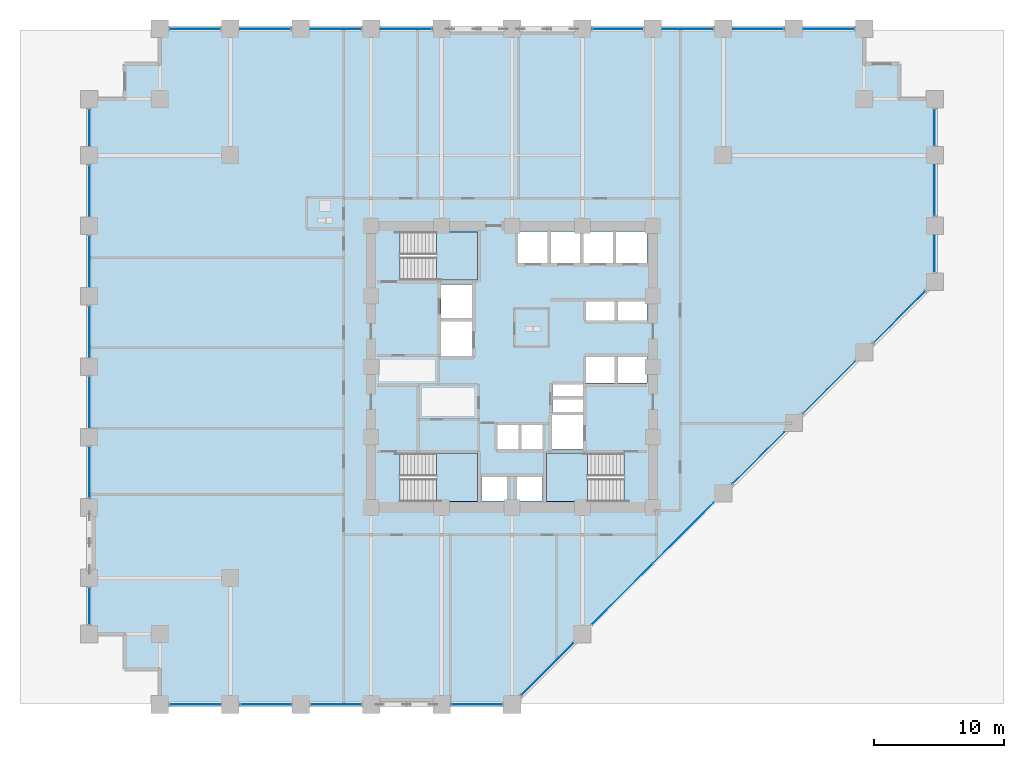
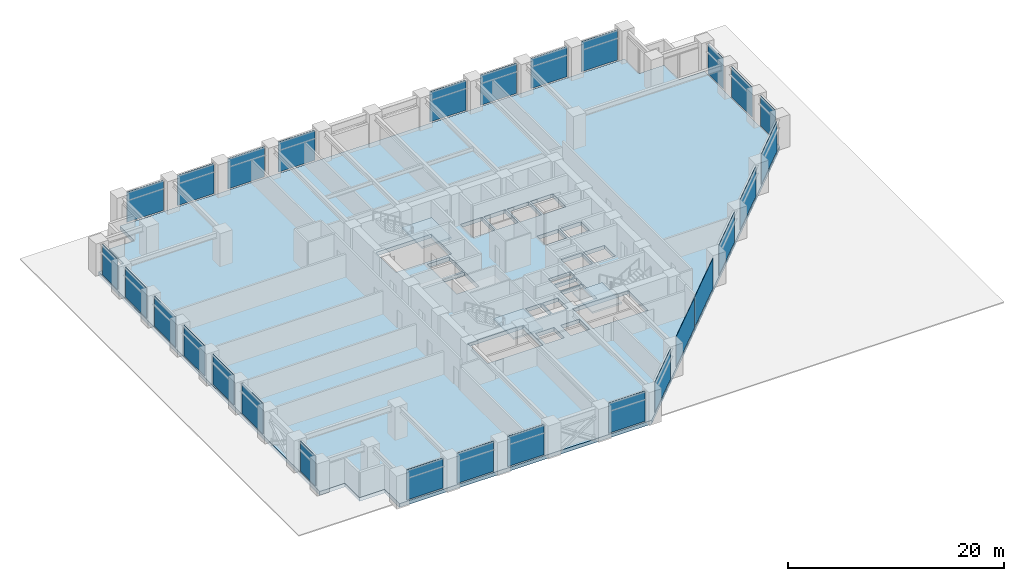
# One storey, part 18 of 27: 28 plates, 4 slabs, 11 elements without a shape of their own.
"""IFC4 building model written with IfcOpenShell, lengths in metres."""

from ifc_helpers import new_model, si_unit, direction, frame, frame_2d, origin, place, context, subcontext, project, spatial, polyline, rectangle, outline, extrude, material, layer, layer_set, type_object, element, aggregate, save


model = new_model("IFC4")

# Units and contexts
model_context = context("Model", 3, precision=1e-05, world=origin(), true_north=direction((0.0, 1.0)))
body_context = subcontext(model_context, "Body", "Model", "MODEL_VIEW")
ifc_project = project(units=[si_unit("LENGTHUNIT", "METRE"), si_unit("AREAUNIT", "SQUARE_METRE"), si_unit("VOLUMEUNIT", "CUBIC_METRE"), si_unit("PLANEANGLEUNIT", "RADIAN"), si_unit("MASSUNIT", "GRAM", prefix="KILO")], contexts=[model_context])

# Site, building, storey
site_placement = place(None, origin())
site = spatial("IfcSite", under=ifc_project, at=site_placement, CompositionType="ELEMENT")
building_placement = place(site_placement, origin())
building = spatial("IfcBuilding", under=site, at=building_placement, Name="Surkhivell Harbour Commons", CompositionType="ELEMENT")
storey_placement = place(building_placement, frame((0.0, 0.0, 22.5)))
storey = spatial("IfcBuildingStorey", under=building, at=storey_placement, Name="L05", CompositionType="ELEMENT", Elevation=22.5)

# Curtain wall, plates
ifc_material_1 = material(Name="Anodised pale-metal aluminium and insulated glazing", Category="aluminium")
ifc_layer_1 = layer(ifc_material_1, 0.219970703125)
ifc_layer_set_1 = layer_set([ifc_layer_1], Name="Anodised pale-metal aluminium and insulated glazing")
curtain_wall_type = type_object("IfcCurtainWallType", Name="CW-SYS-Z1", PredefinedType="NOTDEFINED", material=ifc_layer_set_1)
curtain_wall_1_placement = place(storey_placement, origin())
curtain_wall_1 = element("IfcCurtainWall", 1, at=curtain_wall_1_placement, inside=storey, type_object=curtain_wall_type, Name="L05 Curtain Wall CW-L05-E00S1", PredefinedType="NOTDEFINED")
ifc_material_2 = material(Name="Double-silver low-E laminated vision glass", Category="glass")
ifc_layer_2 = layer(ifc_material_2, 0.031982421875)
ifc_layer_set_2 = layer_set([ifc_layer_2], Name="Double-silver low-E laminated vision glass")
plate_type = type_object("IfcPlateType", Name="CWP-GLZ-32", PredefinedType="CURTAIN_PANEL", material=ifc_layer_set_2)
plate_1_placement = place(storey_placement, frame((-26.248046875, -25.89990234375, 0.14990234375), z_axis=(0.0, 0.0, 1.0), x_axis=(1.0, 0.0, 0.0)))
plate_1 = element("IfcPlate", 2, at=plate_1_placement, type_object=plate_type, Name="CW-Z1 panel 1.1", PredefinedType="CURTAIN_PANEL", context=body_context, shape_type="SweptSolid", body=[
    extrude(rectangle(XDim=3.89599609375, YDim=0.031982421875, at=frame_2d((1.947998046875, 0.0))), origin(), (0.0, 0.0, 1.0), 3.420166015625),
])
plate_2_placement = place(storey_placement, frame((-20.847900390625, -25.89990234375, 0.14990234375), z_axis=(0.0, 0.0, 1.0), x_axis=(1.0, 0.0, 0.0)))
plate_2 = element("IfcPlate", 3, at=plate_2_placement, type_object=plate_type, Name="CW-Z1 panel 2.1", PredefinedType="CURTAIN_PANEL", context=body_context, shape_type="SweptSolid", body=[
    extrude(rectangle(XDim=3.89599609375, YDim=0.031982421875, at=frame_2d((1.947998046875, 0.0))), origin(), (0.0, 0.0, 1.0), 3.420166015625),
])
plate_3_placement = place(storey_placement, frame((-15.447998046875, -25.89990234375, 0.14990234375), z_axis=(0.0, 0.0, 1.0), x_axis=(1.0, 0.0, 0.0)))
plate_3 = element("IfcPlate", 4, at=plate_3_placement, type_object=plate_type, Name="CW-Z1 panel 3.1", PredefinedType="CURTAIN_PANEL", context=body_context, shape_type="SweptSolid", body=[
    extrude(rectangle(XDim=3.89599609375, YDim=0.031982421875, at=frame_2d((1.947998046875, 0.0))), origin(), (0.0, 0.0, 1.0), 3.420166015625),
])
aggregate(curtain_wall_1, [plate_1, plate_2, plate_3])

# Curtain wall, plate
curtain_wall_2_placement = place(storey_placement, origin())
curtain_wall_2 = element("IfcCurtainWall", 5, at=curtain_wall_2_placement, inside=storey, type_object=curtain_wall_type, Name="L05 Curtain Wall CW-L05-E00S2", PredefinedType="NOTDEFINED")
plate_4_placement = place(storey_placement, frame((-4.64794921875, -25.89990234375, 0.14990234375), z_axis=(0.0, 0.0, 1.0), x_axis=(1.0, 0.0, 0.0)))
plate_4 = element("IfcPlate", 6, at=plate_4_placement, type_object=plate_type, Name="CW-Z1 panel 1.1", PredefinedType="CURTAIN_PANEL", context=body_context, shape_type="SweptSolid", body=[
    extrude(rectangle(XDim=3.89599609375, YDim=0.031982421875, at=frame_2d((1.947998046875, 0.0))), origin(), (0.0, 0.0, 1.0), 3.420166015625),
])
aggregate(curtain_wall_2, [plate_4])

# Curtain wall, plates
curtain_wall_3_placement = place(storey_placement, origin())
curtain_wall_3 = element("IfcCurtainWall", 7, at=curtain_wall_3_placement, inside=storey, type_object=curtain_wall_type, Name="L05 Curtain Wall CW-L05-E01", PredefinedType="NOTDEFINED")
plate_5_placement = place(storey_placement, frame((0.729736328125, -25.170166015625, 0.14990234375), z_axis=(0.0, 0.0, 1.0), x_axis=(0.707106781187, 0.707106781187, 0.0)))
plate_5 = element("IfcPlate", 8, at=plate_5_placement, type_object=plate_type, Name="CW-Z1 panel 1.1", PredefinedType="CURTAIN_PANEL", context=body_context, shape_type="SweptSolid", body=[
    extrude(rectangle(XDim=5.572509765625, YDim=0.031982421875, at=frame_2d((2.7861328125, 0.0))), origin(), (0.0, 0.0, 1.0), 3.420166015625),
])
plate_6_placement = place(storey_placement, frame((6.1298828125, -19.770263671875, 0.14990234375), z_axis=(0.0, 0.0, 1.0), x_axis=(0.707088192925, 0.70712536896, 0.0)))
plate_6 = element("IfcPlate", 9, at=plate_6_placement, type_object=plate_type, Name="CW-Z1 panel 2.1", PredefinedType="CURTAIN_PANEL", context=body_context, shape_type="SweptSolid", body=[
    extrude(rectangle(XDim=6.567138671875, YDim=0.031982421875, at=frame_2d((3.28369140625, 0.0))), origin(), (0.0, 0.0, 1.0), 3.420166015625),
])
plate_7_placement = place(storey_placement, frame((10.826416015625, -15.073486328125, 0.14990234375), z_axis=(0.0, 0.0, 1.0), x_axis=(0.70712536896, 0.707088192925, 0.0)))
plate_7 = element("IfcPlate", 10, at=plate_7_placement, type_object=plate_type, Name="CW-Z1 panel 3.1", PredefinedType="CURTAIN_PANEL", context=body_context, shape_type="SweptSolid", body=[
    extrude(rectangle(XDim=6.567138671875, YDim=0.031982421875, at=frame_2d((3.28369140625, 0.0))), origin(), (0.0, 0.0, 1.0), 3.420166015625),
])
plate_8_placement = place(storey_placement, frame((16.929931640625, -8.97021484375, 0.14990234375), z_axis=(0.0, 0.0, 1.0), x_axis=(0.707084874754, 0.70712868694, 0.0)))
plate_8 = element("IfcPlate", 11, at=plate_8_placement, type_object=plate_type, Name="CW-Z1 panel 4.1", PredefinedType="CURTAIN_PANEL", context=body_context, shape_type="SweptSolid", body=[
    extrude(rectangle(XDim=5.572509765625, YDim=0.031982421875, at=frame_2d((2.7861328125, 0.0))), origin(), (0.0, 0.0, 1.0), 3.420166015625),
])
plate_9_placement = place(storey_placement, frame((22.329833984375, -3.570068359375, 0.14990234375), z_axis=(0.0, 0.0, 1.0), x_axis=(0.70712868694, 0.707084874754, 0.0)))
plate_9 = element("IfcPlate", 12, at=plate_9_placement, type_object=plate_type, Name="CW-Z1 panel 5.1", PredefinedType="CURTAIN_PANEL", context=body_context, shape_type="SweptSolid", body=[
    extrude(rectangle(XDim=5.572509765625, YDim=0.031982421875, at=frame_2d((2.7861328125, 0.0))), origin(), (0.0, 0.0, 1.0), 3.420166015625),
])
plate_10_placement = place(storey_placement, frame((27.729736328125, 1.829833984375, 0.14990234375), z_axis=(0.0, 0.0, 1.0), x_axis=(0.707106781187, 0.707106781187, 0.0)))
plate_10 = element("IfcPlate", 13, at=plate_10_placement, type_object=plate_type, Name="CW-Z1 panel 6.1", PredefinedType="CURTAIN_PANEL", context=body_context, shape_type="SweptSolid", body=[
    extrude(rectangle(XDim=5.572509765625, YDim=0.031982421875, at=frame_2d((2.7861328125, 0.0))), origin(), (0.0, 0.0, 1.0), 3.420166015625),
])
aggregate(curtain_wall_3, [plate_5, plate_6, plate_7, plate_8, plate_9, plate_10])

curtain_wall_4_placement = place(storey_placement, origin())
curtain_wall_4 = element("IfcCurtainWall", 14, at=curtain_wall_4_placement, inside=storey, type_object=curtain_wall_type, Name="L05 Curtain Wall CW-L05-E02", PredefinedType="NOTDEFINED")
plate_11_placement = place(storey_placement, frame((32.39990234375, 7.251953125, 0.14990234375), z_axis=(0.0, 0.0, 1.0), x_axis=(0.0, 1.0, 0.0)))
plate_11 = element("IfcPlate", 15, at=plate_11_placement, type_object=plate_type, Name="CW-Z1 panel 1.1", PredefinedType="CURTAIN_PANEL", context=body_context, shape_type="SweptSolid", body=[
    extrude(rectangle(XDim=2.796142578125, YDim=0.031982421875, at=frame_2d((1.39794921875, 0.0))), origin(), (0.0, 0.0, 1.0), 3.420166015625),
])
plate_12_placement = place(storey_placement, frame((32.39990234375, 11.552001953125, 0.14990234375), z_axis=(0.0, 0.0, 1.0), x_axis=(0.0, 1.0, 0.0)))
plate_12 = element("IfcPlate", 16, at=plate_12_placement, type_object=plate_type, Name="CW-Z1 panel 2.1", PredefinedType="CURTAIN_PANEL", context=body_context, shape_type="SweptSolid", body=[
    extrude(rectangle(XDim=3.89599609375, YDim=0.031982421875, at=frame_2d((1.947998046875, 0.0))), origin(), (0.0, 0.0, 1.0), 3.420166015625),
])
plate_13_placement = place(storey_placement, frame((32.39990234375, 16.951904296875, 0.14990234375), z_axis=(0.0, 0.0, 1.0), x_axis=(0.0, 1.0, 0.0)))
plate_13 = element("IfcPlate", 17, at=plate_13_placement, type_object=plate_type, Name="CW-Z1 panel 3.1", PredefinedType="CURTAIN_PANEL", context=body_context, shape_type="SweptSolid", body=[
    extrude(rectangle(XDim=2.796142578125, YDim=0.031982421875, at=frame_2d((1.39794921875, 0.0))), origin(), (0.0, 0.0, 1.0), 3.420166015625),
])
aggregate(curtain_wall_4, [plate_11, plate_12, plate_13])

curtain_wall_5_placement = place(storey_placement, origin())
curtain_wall_5 = element("IfcCurtainWall", 18, at=curtain_wall_5_placement, inside=storey, type_object=curtain_wall_type, Name="L05 Curtain Wall CW-L05-E07S1", PredefinedType="NOTDEFINED")
plate_14_placement = place(storey_placement, frame((26.248046875, 25.89990234375, 0.14990234375), z_axis=(0.0, 0.0, 1.0), x_axis=(-1.0, 0.0, 0.0)))
plate_14 = element("IfcPlate", 19, at=plate_14_placement, type_object=plate_type, Name="CW-Z1 panel 1.1", PredefinedType="CURTAIN_PANEL", context=body_context, shape_type="SweptSolid", body=[
    extrude(rectangle(XDim=3.89599609375, YDim=0.031982421875, at=frame_2d((1.947998046875, 0.0))), origin(), (0.0, 0.0, 1.0), 3.420166015625),
])
plate_15_placement = place(storey_placement, frame((20.847900390625, 25.89990234375, 0.14990234375), z_axis=(0.0, 0.0, 1.0), x_axis=(-1.0, 0.0, 0.0)))
plate_15 = element("IfcPlate", 20, at=plate_15_placement, type_object=plate_type, Name="CW-Z1 panel 2.1", PredefinedType="CURTAIN_PANEL", context=body_context, shape_type="SweptSolid", body=[
    extrude(rectangle(XDim=3.89599609375, YDim=0.031982421875, at=frame_2d((1.947998046875, 0.0))), origin(), (0.0, 0.0, 1.0), 3.420166015625),
])
plate_16_placement = place(storey_placement, frame((15.447998046875, 25.89990234375, 0.14990234375), z_axis=(0.0, 0.0, 1.0), x_axis=(-1.0, 0.0, 0.0)))
plate_16 = element("IfcPlate", 21, at=plate_16_placement, type_object=plate_type, Name="CW-Z1 panel 3.1", PredefinedType="CURTAIN_PANEL", context=body_context, shape_type="SweptSolid", body=[
    extrude(rectangle(XDim=3.89599609375, YDim=0.031982421875, at=frame_2d((1.947998046875, 0.0))), origin(), (0.0, 0.0, 1.0), 3.420166015625),
])
plate_17_placement = place(storey_placement, frame((10.048095703125, 25.89990234375, 0.14990234375), z_axis=(0.0, 0.0, 1.0), x_axis=(-1.0, 0.0, 0.0)))
plate_17 = element("IfcPlate", 22, at=plate_17_placement, type_object=plate_type, Name="CW-Z1 panel 4.1", PredefinedType="CURTAIN_PANEL", context=body_context, shape_type="SweptSolid", body=[
    extrude(rectangle(XDim=3.89599609375, YDim=0.031982421875, at=frame_2d((1.947998046875, 0.0))), origin(), (0.0, 0.0, 1.0), 3.420166015625),
])
aggregate(curtain_wall_5, [plate_14, plate_15, plate_16, plate_17])

curtain_wall_6_placement = place(storey_placement, origin())
curtain_wall_6 = element("IfcCurtainWall", 23, at=curtain_wall_6_placement, inside=storey, type_object=curtain_wall_type, Name="L05 Curtain Wall CW-L05-E07S2", PredefinedType="NOTDEFINED")
plate_18_placement = place(storey_placement, frame((-6.152099609375, 25.89990234375, 0.14990234375), z_axis=(0.0, 0.0, 1.0), x_axis=(-1.0, 0.0, 0.0)))
plate_18 = element("IfcPlate", 24, at=plate_18_placement, type_object=plate_type, Name="CW-Z1 panel 1.1", PredefinedType="CURTAIN_PANEL", context=body_context, shape_type="SweptSolid", body=[
    extrude(rectangle(XDim=3.89599609375, YDim=0.031982421875, at=frame_2d((1.947998046875, 0.0))), origin(), (0.0, 0.0, 1.0), 3.420166015625),
])
plate_19_placement = place(storey_placement, frame((-11.552001953125, 25.89990234375, 0.14990234375), z_axis=(0.0, 0.0, 1.0), x_axis=(-1.0, 0.0, 0.0)))
plate_19 = element("IfcPlate", 25, at=plate_19_placement, type_object=plate_type, Name="CW-Z1 panel 2.1", PredefinedType="CURTAIN_PANEL", context=body_context, shape_type="SweptSolid", body=[
    extrude(rectangle(XDim=3.89599609375, YDim=0.031982421875, at=frame_2d((1.947998046875, 0.0))), origin(), (0.0, 0.0, 1.0), 3.420166015625),
])
plate_20_placement = place(storey_placement, frame((-16.951904296875, 25.89990234375, 0.14990234375), z_axis=(0.0, 0.0, 1.0), x_axis=(-1.0, 0.0, 0.0)))
plate_20 = element("IfcPlate", 26, at=plate_20_placement, type_object=plate_type, Name="CW-Z1 panel 3.1", PredefinedType="CURTAIN_PANEL", context=body_context, shape_type="SweptSolid", body=[
    extrude(rectangle(XDim=3.89599609375, YDim=0.031982421875, at=frame_2d((1.947998046875, 0.0))), origin(), (0.0, 0.0, 1.0), 3.420166015625),
])
plate_21_placement = place(storey_placement, frame((-22.35205078125, 25.89990234375, 0.14990234375), z_axis=(0.0, 0.0, 1.0), x_axis=(-1.0, 0.0, 0.0)))
plate_21 = element("IfcPlate", 27, at=plate_21_placement, type_object=plate_type, Name="CW-Z1 panel 4.1", PredefinedType="CURTAIN_PANEL", context=body_context, shape_type="SweptSolid", body=[
    extrude(rectangle(XDim=3.89599609375, YDim=0.031982421875, at=frame_2d((1.947998046875, 0.0))), origin(), (0.0, 0.0, 1.0), 3.420166015625),
])
aggregate(curtain_wall_6, [plate_18, plate_19, plate_20, plate_21])

curtain_wall_7_placement = place(storey_placement, origin())
curtain_wall_7 = element("IfcCurtainWall", 28, at=curtain_wall_7_placement, inside=storey, type_object=curtain_wall_type, Name="L05 Curtain Wall CW-L05-E12S1", PredefinedType="NOTDEFINED")
plate_22_placement = place(storey_placement, frame((-32.39990234375, 19.748046875, 0.14990234375), z_axis=(0.0, 0.0, 1.0), x_axis=(0.0, -1.0, 0.0)))
plate_22 = element("IfcPlate", 29, at=plate_22_placement, type_object=plate_type, Name="CW-Z1 panel 1.1", PredefinedType="CURTAIN_PANEL", context=body_context, shape_type="SweptSolid", body=[
    extrude(rectangle(XDim=2.796142578125, YDim=0.031982421875, at=frame_2d((1.39794921875, 0.0))), origin(), (0.0, 0.0, 1.0), 3.420166015625),
])
plate_23_placement = place(storey_placement, frame((-32.39990234375, 15.447998046875, 0.14990234375), z_axis=(0.0, 0.0, 1.0), x_axis=(0.0, -1.0, 0.0)))
plate_23 = element("IfcPlate", 30, at=plate_23_placement, type_object=plate_type, Name="CW-Z1 panel 2.1", PredefinedType="CURTAIN_PANEL", context=body_context, shape_type="SweptSolid", body=[
    extrude(rectangle(XDim=3.89599609375, YDim=0.031982421875, at=frame_2d((1.947998046875, 0.0))), origin(), (0.0, 0.0, 1.0), 3.420166015625),
])
plate_24_placement = place(storey_placement, frame((-32.39990234375, 10.048095703125, 0.14990234375), z_axis=(0.0, 0.0, 1.0), x_axis=(0.0, -1.0, 0.0)))
plate_24 = element("IfcPlate", 31, at=plate_24_placement, type_object=plate_type, Name="CW-Z1 panel 3.1", PredefinedType="CURTAIN_PANEL", context=body_context, shape_type="SweptSolid", body=[
    extrude(rectangle(XDim=3.89599609375, YDim=0.031982421875, at=frame_2d((1.947998046875, 0.0))), origin(), (0.0, 0.0, 1.0), 3.420166015625),
])
plate_25_placement = place(storey_placement, frame((-32.39990234375, 4.64794921875, 0.14990234375), z_axis=(0.0, 0.0, 1.0), x_axis=(0.0, -1.0, 0.0)))
plate_25 = element("IfcPlate", 32, at=plate_25_placement, type_object=plate_type, Name="CW-Z1 panel 4.1", PredefinedType="CURTAIN_PANEL", context=body_context, shape_type="SweptSolid", body=[
    extrude(rectangle(XDim=3.89599609375, YDim=0.031982421875, at=frame_2d((1.947998046875, 0.0))), origin(), (0.0, 0.0, 1.0), 3.420166015625),
])
plate_26_placement = place(storey_placement, frame((-32.39990234375, -0.751953125, 0.14990234375), z_axis=(0.0, 0.0, 1.0), x_axis=(0.0, -1.0, 0.0)))
plate_26 = element("IfcPlate", 33, at=plate_26_placement, type_object=plate_type, Name="CW-Z1 panel 5.1", PredefinedType="CURTAIN_PANEL", context=body_context, shape_type="SweptSolid", body=[
    extrude(rectangle(XDim=3.89599609375, YDim=0.031982421875, at=frame_2d((1.947998046875, 0.0))), origin(), (0.0, 0.0, 1.0), 3.420166015625),
])
plate_27_placement = place(storey_placement, frame((-32.39990234375, -6.152099609375, 0.14990234375), z_axis=(0.0, 0.0, 1.0), x_axis=(0.0, -1.0, 0.0)))
plate_27 = element("IfcPlate", 34, at=plate_27_placement, type_object=plate_type, Name="CW-Z1 panel 6.1", PredefinedType="CURTAIN_PANEL", context=body_context, shape_type="SweptSolid", body=[
    extrude(rectangle(XDim=3.89599609375, YDim=0.031982421875, at=frame_2d((1.947998046875, 0.0))), origin(), (0.0, 0.0, 1.0), 3.420166015625),
])
aggregate(curtain_wall_7, [plate_22, plate_23, plate_24, plate_25, plate_26, plate_27])

# Curtain wall, plate
curtain_wall_8_placement = place(storey_placement, origin())
curtain_wall_8 = element("IfcCurtainWall", 35, at=curtain_wall_8_placement, inside=storey, type_object=curtain_wall_type, Name="L05 Curtain Wall CW-L05-E12S2", PredefinedType="NOTDEFINED")
plate_28_placement = place(storey_placement, frame((-32.39990234375, -16.951904296875, 0.14990234375), z_axis=(0.0, 0.0, 1.0), x_axis=(0.0, -1.0, 0.0)))
plate_28 = element("IfcPlate", 36, at=plate_28_placement, type_object=plate_type, Name="CW-Z1 panel 1.1", PredefinedType="CURTAIN_PANEL", context=body_context, shape_type="SweptSolid", body=[
    extrude(rectangle(XDim=2.796142578125, YDim=0.031982421875, at=frame_2d((1.39794921875, 0.0))), origin(), (0.0, 0.0, 1.0), 3.420166015625),
])
aggregate(curtain_wall_8, [plate_28])

# Stair, slab
ifc_material_3 = material(Name="Precast concrete C45/55", Category="concrete")
stair_type = type_object("IfcStairType", Name="STR-DL-375", PredefinedType="HALF_TURN_STAIR", material=ifc_material_3)
stair_1_placement = place(storey_placement, origin())
stair_1 = element("IfcStair", 37, at=stair_1_placement, inside=storey, type_object=stair_type, Name="L05 Core Exit Stair ST1", PredefinedType="HALF_TURN_STAIR")
ifc_material_4 = material(Name="Reinforced concrete C45/55", Category="concrete")
ifc_layer_3 = layer(ifc_material_4, 0.199951171875)
ifc_layer_set_3 = layer_set([ifc_layer_3], Name="Reinforced concrete C45/55")
slab_type_1 = type_object("IfcSlabType", Name="SLB-ST-LND200", PredefinedType="LANDING", material=ifc_layer_set_3)
slab_1_placement = place(storey_placement, frame((0.0, 0.0, 1.675048828125)))
slab_1 = element("IfcSlab", 38, at=slab_1_placement, type_object=slab_type_1, Name="ST1 landing 1", PredefinedType="LANDING", context=body_context, shape_type="SweptSolid", body=[
    extrude(outline(polyline([(-5.7900390625, 6.639892578125), (-2.639892578125, 6.639892578125), (-2.639892578125, 10.340087890625), (-5.7900390625, 10.340087890625), (-5.7900390625, 6.639892578125)])), origin(), (0.0, 0.0, 1.0), 0.199951171875),
])
aggregate(stair_1, [slab_1])

stair_2_placement = place(storey_placement, origin())
stair_2 = element("IfcStair", 39, at=stair_2_placement, inside=storey, type_object=stair_type, Name="L05 Core Exit Stair ST2", PredefinedType="HALF_TURN_STAIR")
slab_2_placement = place(storey_placement, frame((0.0, 0.0, 1.675048828125)))
slab_2 = element("IfcSlab", 40, at=slab_2_placement, type_object=slab_type_1, Name="ST2 landing 1", PredefinedType="LANDING", context=body_context, shape_type="SweptSolid", body=[
    extrude(outline(polyline([(5.7900390625, -6.639892578125), (2.639892578125, -6.639892578125), (2.639892578125, -10.340087890625), (5.7900390625, -10.340087890625), (5.7900390625, -6.639892578125)])), origin(), (0.0, 0.0, 1.0), 0.199951171875),
])
aggregate(stair_2, [slab_2])

stair_3_placement = place(storey_placement, origin())
stair_3 = element("IfcStair", 41, at=stair_3_placement, inside=storey, type_object=stair_type, Name="L05 Core Exit Stair ST3", PredefinedType="HALF_TURN_STAIR")
slab_3_placement = place(storey_placement, frame((0.0, 0.0, 1.675048828125)))
slab_3 = element("IfcSlab", 42, at=slab_3_placement, type_object=slab_type_1, Name="ST3 landing 1", PredefinedType="LANDING", context=body_context, shape_type="SweptSolid", body=[
    extrude(outline(polyline([(-5.7900390625, -10.340087890625), (-2.639892578125, -10.340087890625), (-2.639892578125, -6.639892578125), (-5.7900390625, -6.639892578125), (-5.7900390625, -10.340087890625)])), origin(), (0.0, 0.0, 1.0), 0.199951171875),
])
aggregate(stair_3, [slab_3])

# Slab
ifc_material_5 = material(Name="Concrete C60/75", Category="concrete")
ifc_layer_4 = layer(ifc_material_5, 0.419921875)
ifc_layer_set_4 = layer_set([ifc_layer_4], Name="Concrete C60/75")
slab_type_2 = type_object("IfcSlabType", Name="SLB-TRF-420", PredefinedType="FLOOR", material=ifc_layer_set_4)
slab_4_placement = place(storey_placement, frame((0.0, 0.0, -0.419921875)))
element("IfcSlab", 43, at=slab_4_placement, inside=storey, type_object=slab_type_2, Name="L05 Structural Floor Slab", PredefinedType="FLOOR", context=body_context, shape_type="SweptSolid", body=[
    extrude(outline(polyline([(-27.0, -25.89990234375), (0.0, -25.89990234375), (32.39990234375, 6.5), (32.39990234375, 20.5), (29.699951171875, 20.5), (29.699951171875, 23.199951171875), (27.0, 23.199951171875), (27.0, 25.89990234375), (-27.0, 25.89990234375), (-27.0, 23.199951171875), (-29.699951171875, 23.199951171875), (-29.699951171875, 20.5), (-32.39990234375, 20.5), (-32.39990234375, -20.5), (-29.699951171875, -20.5), (-29.699951171875, -23.199951171875), (-27.0, -23.199951171875), (-27.0, -25.89990234375)]), holes=[polyline([(-8.590087890625, 6.639892578125), (-2.639892578125, 6.639892578125), (-2.639892578125, 10.340087890625), (-8.590087890625, 10.340087890625), (-8.590087890625, 6.639892578125)]), polyline([(8.590087890625, -6.639892578125), (2.639892578125, -6.639892578125), (2.639892578125, -10.340087890625), (8.590087890625, -10.340087890625), (8.590087890625, -6.639892578125)]), polyline([(-8.590087890625, -10.340087890625), (-2.639892578125, -10.340087890625), (-2.639892578125, -6.639892578125), (-8.590087890625, -6.639892578125), (-8.590087890625, -10.340087890625)]), polyline([(0.449951171875, 7.949951171875), (2.75, 7.949951171875), (2.75, 10.35009765625), (0.449951171875, 10.35009765625), (0.449951171875, 7.949951171875)]), polyline([(2.949951171875, 7.949951171875), (5.25, 7.949951171875), (5.25, 10.35009765625), (2.949951171875, 10.35009765625), (2.949951171875, 7.949951171875)]), polyline([(5.449951171875, 7.949951171875), (7.75, 7.949951171875), (7.75, 10.35009765625), (5.449951171875, 10.35009765625), (5.449951171875, 7.949951171875)]), polyline([(7.949951171875, 7.949951171875), (10.35009765625, 7.949951171875), (10.35009765625, 10.35009765625), (7.949951171875, 10.35009765625), (7.949951171875, 7.949951171875)]), polyline([(5.64990234375, 3.550048828125), (7.89990234375, 3.550048828125), (7.89990234375, 5.14990234375), (5.64990234375, 5.14990234375), (5.64990234375, 3.550048828125)]), polyline([(8.10009765625, 3.550048828125), (10.35009765625, 3.550048828125), (10.35009765625, 5.14990234375), (8.10009765625, 5.14990234375), (8.10009765625, 3.550048828125)]), polyline([(5.64990234375, -1.25), (7.89990234375, -1.25), (7.89990234375, 0.75), (5.64990234375, 0.75), (5.64990234375, -1.25)]), polyline([(8.10009765625, -1.25), (10.35009765625, -1.25), (10.35009765625, 0.75), (8.10009765625, 0.75), (8.10009765625, -1.25)]), polyline([(-1.14990234375, -6.35009765625), (0.550048828125, -6.35009765625), (0.550048828125, -4.449951171875), (-1.14990234375, -4.449951171875), (-1.14990234375, -6.35009765625)]), polyline([(0.679931640625, -6.35009765625), (2.3798828125, -6.35009765625), (2.3798828125, -4.449951171875), (0.679931640625, -4.449951171875), (0.679931640625, -6.35009765625)]), polyline([(-2.35009765625, -10.300048828125), (-0.35009765625, -10.300048828125), (-0.35009765625, -8.39990234375), (-2.35009765625, -8.39990234375), (-2.35009765625, -10.300048828125)]), polyline([(0.35009765625, -10.300048828125), (2.35009765625, -10.300048828125), (2.35009765625, -8.39990234375), (0.35009765625, -8.39990234375), (0.35009765625, -10.300048828125)]), polyline([(-5.449951171875, 3.699951171875), (-3.050048828125, 3.699951171875), (-3.050048828125, 6.300048828125), (-5.449951171875, 6.300048828125), (-5.449951171875, 3.699951171875)]), polyline([(3.050048828125, -6.300048828125), (5.449951171875, -6.300048828125), (5.449951171875, -3.699951171875), (3.050048828125, -3.699951171875), (3.050048828125, -6.300048828125)]), polyline([(-5.449951171875, 0.800048828125), (-3.050048828125, 0.800048828125), (-3.050048828125, 3.5), (-5.449951171875, 3.5), (-5.449951171875, 0.800048828125)]), polyline([(3.10009765625, -3.550048828125), (5.449951171875, -3.550048828125), (5.449951171875, -2.47998046875), (3.10009765625, -2.47998046875), (3.10009765625, -3.550048828125)]), polyline([(3.10009765625, -2.280029296875), (5.449951171875, -2.280029296875), (5.449951171875, -1.35009765625), (3.10009765625, -1.35009765625), (3.10009765625, -2.280029296875)])]), origin(), (0.0, 0.0, 1.0), 0.419921875),
])

save(model, "model.ifc")
